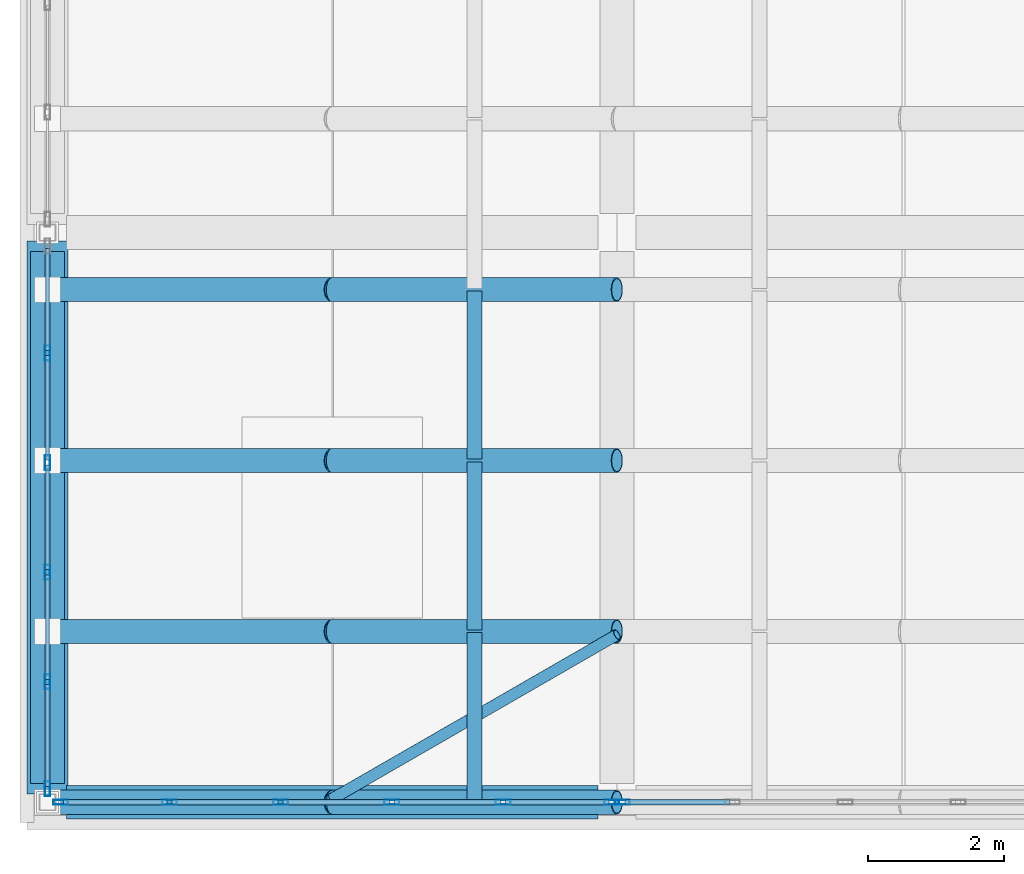
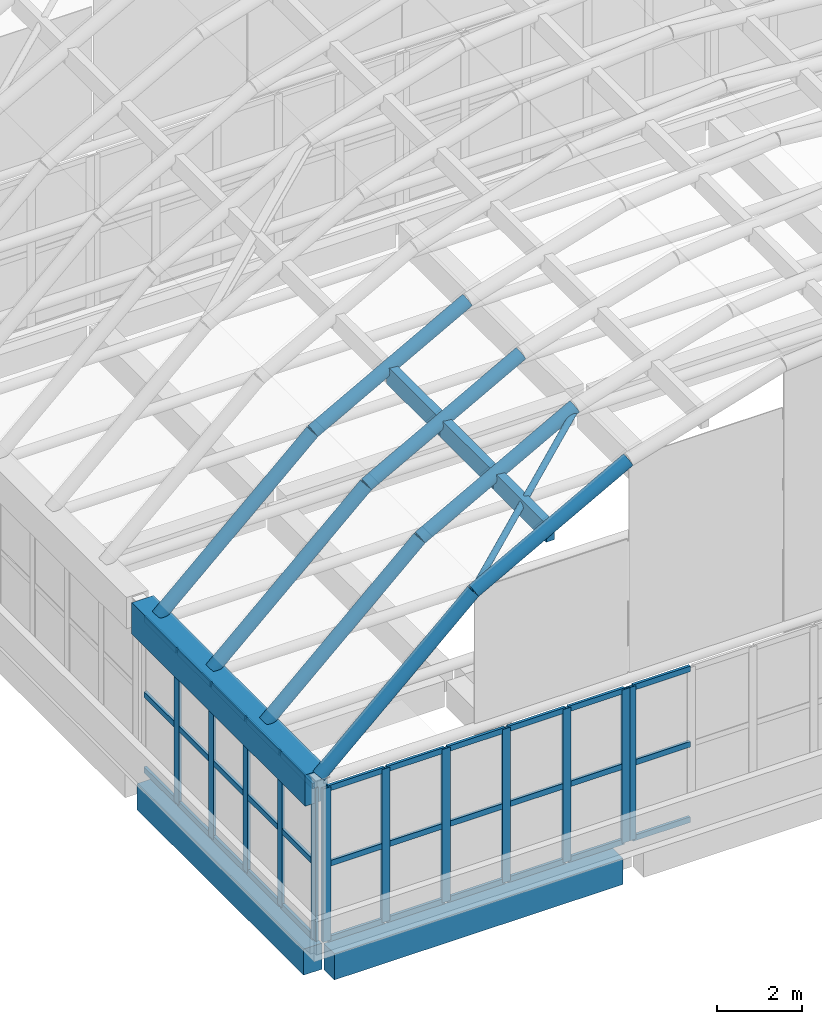
# One storey, part 3 of 26: 49 members, 11 beams, 3 elements without a shape of their own.
"""IFC4 building model written with IfcOpenShell, lengths in metres."""

from ifc_helpers import new_model, si_unit, direction, frame, origin, origin_2d, place, context, subcontext, project, spatial, rectangle, hollow_rectangle, hollow_circle, extrude, material, layer, layer_set, material_profile, profile_set, type_object, element, aggregate, save


model = new_model("IFC4")

# Units and contexts
model_context = context("Model", 3, precision=1e-05, world=origin(), true_north=direction((0.0, 1.0)))
body_context = subcontext(model_context, "Body", "Model", "MODEL_VIEW")
ifc_project = project(units=[si_unit("LENGTHUNIT", "METRE"), si_unit("AREAUNIT", "SQUARE_METRE"), si_unit("VOLUMEUNIT", "CUBIC_METRE"), si_unit("PLANEANGLEUNIT", "RADIAN"), si_unit("MASSUNIT", "GRAM", prefix="KILO")], contexts=[model_context])

# Site, building, storey
site_placement = place(None, origin())
site = spatial("IfcSite", under=ifc_project, at=site_placement, CompositionType="ELEMENT")
building_placement = place(site_placement, origin())
building = spatial("IfcBuilding", under=site, at=building_placement, Name="Xazarin Passage Department Store", CompositionType="ELEMENT")
storey_placement = place(building_placement, frame((0.0, 0.0, 36.89990234375)))
storey = spatial("IfcBuildingStorey", under=building, at=storey_placement, Name="RF", CompositionType="ELEMENT", Elevation=36.89990234375)

# Curtain wall, members
ifc_material_1 = material(Name="Bronze anodised aluminium", Category="aluminium")
ifc_layer = layer(ifc_material_1, 0.199951171875)
ifc_layer_set = layer_set([ifc_layer], Name="Bronze anodised aluminium")
curtain_wall_type = type_object("IfcCurtainWallType", Name="ARC-CW-VIT2", PredefinedType="NOTDEFINED", material=ifc_layer_set)
curtain_wall_1_placement = place(storey_placement, origin())
curtain_wall_1 = element("IfcCurtainWall", 1, at=curtain_wall_1_placement, inside=storey, type_object=curtain_wall_type, Name="RF V1 Atrium Lantern Curtain Wall 01", PredefinedType="NOTDEFINED")
ifc_material_profile_1 = material_profile(ifc_material_1, hollow_rectangle(XDim=0.074951171875, YDim=0.219970703125, WallThickness=0.0048828125, at=origin_2d()), Name="ALU 75x220")
ifc_profile_set_1 = profile_set([ifc_material_profile_1], Name="Bronze anodised aluminium")
member_type_1 = type_object("IfcMemberType", Name="ARC-CWM-75x220", PredefinedType="MULLION", material=ifc_profile_set_1)
member_1_placement = place(storey_placement, frame((0.0, 76.597412109375, 0.0), z_axis=(0.0, 0.0, 1.0), x_axis=(-1.0, 0.0, 0.0)))
member_1 = element("IfcMember", 2, at=member_1_placement, type_object=member_type_1, Name="CW2 mullion 1", PredefinedType="MULLION", context=body_context, shape_type="SweptSolid", body=[
    extrude(hollow_rectangle(XDim=0.074951171875, YDim=0.219970703125, WallThickness=0.0048828125, at=origin_2d()), origin(), (0.0, 0.0, 1.0), 4.404296875),
])
member_2_placement = place(storey_placement, frame((0.0, 78.176025390625, 0.0), z_axis=(0.0, 0.0, 1.0), x_axis=(-1.0, 0.0, 0.0)))
member_2 = element("IfcMember", 3, at=member_2_placement, type_object=member_type_1, Name="CW2 mullion 2", PredefinedType="MULLION", context=body_context, shape_type="SweptSolid", body=[
    extrude(hollow_rectangle(XDim=0.074951171875, YDim=0.219970703125, WallThickness=0.0048828125, at=origin_2d()), origin(), (0.0, 0.0, 1.0), 4.404296875),
])
member_3_placement = place(storey_placement, frame((0.0, 79.7919921875, 0.0), z_axis=(0.0, 0.0, 1.0), x_axis=(-1.0, 0.0, 0.0)))
member_3 = element("IfcMember", 4, at=member_3_placement, type_object=member_type_1, Name="CW2 mullion 3", PredefinedType="MULLION", context=body_context, shape_type="SweptSolid", body=[
    extrude(hollow_rectangle(XDim=0.074951171875, YDim=0.219970703125, WallThickness=0.0048828125, at=origin_2d()), origin(), (0.0, 0.0, 1.0), 4.404296875),
])
member_4_placement = place(storey_placement, frame((0.0, 81.407958984375, 0.0), z_axis=(0.0, 0.0, 1.0), x_axis=(-1.0, 0.0, 0.0)))
member_4 = element("IfcMember", 5, at=member_4_placement, type_object=member_type_1, Name="CW2 mullion 4", PredefinedType="MULLION", context=body_context, shape_type="SweptSolid", body=[
    extrude(hollow_rectangle(XDim=0.074951171875, YDim=0.219970703125, WallThickness=0.0048828125, at=origin_2d()), origin(), (0.0, 0.0, 1.0), 4.404296875),
])
member_5_placement = place(storey_placement, frame((0.0, 83.02392578125, 0.0), z_axis=(0.0, 0.0, 1.0), x_axis=(-1.0, 0.0, 0.0)))
member_5 = element("IfcMember", 6, at=member_5_placement, type_object=member_type_1, Name="CW2 mullion 5", PredefinedType="MULLION", context=body_context, shape_type="SweptSolid", body=[
    extrude(hollow_rectangle(XDim=0.074951171875, YDim=0.219970703125, WallThickness=0.0048828125, at=origin_2d()), origin(), (0.0, 0.0, 1.0), 4.404296875),
])

curtain_wall_2_placement = place(storey_placement, origin())
curtain_wall_2 = element("IfcCurtainWall", 7, at=curtain_wall_2_placement, inside=storey, type_object=curtain_wall_type, Name="RF V1 Atrium Lantern Curtain Wall 07", PredefinedType="NOTDEFINED")
member_6_placement = place(storey_placement, frame((0.197509765625, 76.39990234375, 0.0), z_axis=(0.0, 0.0, 1.0), x_axis=(0.0, 1.0, 0.0)))
member_6 = element("IfcMember", 8, at=member_6_placement, type_object=member_type_1, Name="CW2 mullion 1", PredefinedType="MULLION", context=body_context, shape_type="SweptSolid", body=[
    extrude(hollow_rectangle(XDim=0.074951171875, YDim=0.219970703125, WallThickness=0.0048828125, at=origin_2d()), origin(), (0.0, 0.0, 1.0), 4.404296875),
])
member_7_placement = place(storey_placement, frame((1.800048828125, 76.39990234375, 0.0), z_axis=(0.0, 0.0, 1.0), x_axis=(0.0, 1.0, 0.0)))
member_7 = element("IfcMember", 9, at=member_7_placement, type_object=member_type_1, Name="CW2 mullion 2", PredefinedType="MULLION", context=body_context, shape_type="SweptSolid", body=[
    extrude(hollow_rectangle(XDim=0.074951171875, YDim=0.219970703125, WallThickness=0.0048828125, at=origin_2d()), origin(), (0.0, 0.0, 1.0), 4.404296875),
])
member_8_placement = place(storey_placement, frame((3.43994140625, 76.39990234375, 0.0), z_axis=(0.0, 0.0, 1.0), x_axis=(0.0, 1.0, 0.0)))
member_8 = element("IfcMember", 10, at=member_8_placement, type_object=member_type_1, Name="CW2 mullion 3", PredefinedType="MULLION", context=body_context, shape_type="SweptSolid", body=[
    extrude(hollow_rectangle(XDim=0.074951171875, YDim=0.219970703125, WallThickness=0.0048828125, at=origin_2d()), origin(), (0.0, 0.0, 1.0), 4.404296875),
])
member_9_placement = place(storey_placement, frame((5.080078125, 76.39990234375, 0.0), z_axis=(0.0, 0.0, 1.0), x_axis=(0.0, 1.0, 0.0)))
member_9 = element("IfcMember", 11, at=member_9_placement, type_object=member_type_1, Name="CW2 mullion 4", PredefinedType="MULLION", context=body_context, shape_type="SweptSolid", body=[
    extrude(hollow_rectangle(XDim=0.074951171875, YDim=0.219970703125, WallThickness=0.0048828125, at=origin_2d()), origin(), (0.0, 0.0, 1.0), 4.404296875),
])
member_10_placement = place(storey_placement, frame((6.719970703125, 76.39990234375, 0.0), z_axis=(0.0, 0.0, 1.0), x_axis=(0.0, 1.0, 0.0)))
member_10 = element("IfcMember", 12, at=member_10_placement, type_object=member_type_1, Name="CW2 mullion 5", PredefinedType="MULLION", context=body_context, shape_type="SweptSolid", body=[
    extrude(hollow_rectangle(XDim=0.074951171875, YDim=0.219970703125, WallThickness=0.0048828125, at=origin_2d()), origin(), (0.0, 0.0, 1.0), 4.404296875),
])
member_11_placement = place(storey_placement, frame((8.322509765625, 76.39990234375, 0.0), z_axis=(0.0, 0.0, 1.0), x_axis=(0.0, 1.0, 0.0)))
member_11 = element("IfcMember", 13, at=member_11_placement, type_object=member_type_1, Name="CW2 mullion 6", PredefinedType="MULLION", context=body_context, shape_type="SweptSolid", body=[
    extrude(hollow_rectangle(XDim=0.074951171875, YDim=0.219970703125, WallThickness=0.0048828125, at=origin_2d()), origin(), (0.0, 0.0, 1.0), 4.404296875),
])

# Curtain wall, member
curtain_wall_3_placement = place(storey_placement, origin())
curtain_wall_3 = element("IfcCurtainWall", 14, at=curtain_wall_3_placement, inside=storey, type_object=curtain_wall_type, Name="RF V1 Atrium Lantern Curtain Wall 09", PredefinedType="NOTDEFINED")
member_12_placement = place(storey_placement, frame((8.4775390625, 76.39990234375, 0.0), z_axis=(0.0, 0.0, 1.0), x_axis=(0.0, 1.0, 0.0)))
member_12 = element("IfcMember", 15, at=member_12_placement, type_object=member_type_1, Name="CW2 mullion 1", PredefinedType="MULLION", context=body_context, shape_type="SweptSolid", body=[
    extrude(hollow_rectangle(XDim=0.074951171875, YDim=0.219970703125, WallThickness=0.0048828125, at=origin_2d()), origin(), (0.0, 0.0, 1.0), 4.404296875),
])

# Member
ifc_material_profile_2 = material_profile(ifc_material_1, hollow_rectangle(XDim=0.074951171875, YDim=0.159912109375, WallThickness=0.00439453125, at=origin_2d()), Name="ALU 75x160")
ifc_profile_set_2 = profile_set([ifc_material_profile_2], Name="Bronze anodised aluminium")
member_type_2 = type_object("IfcMemberType", Name="ARC-CWT-75x160", PredefinedType="USERDEFINED", material=ifc_profile_set_2)
member_13_placement = place(storey_placement, frame((0.0, 76.635009765625, 0.03759765625), z_axis=(0.0, 1.0, 0.0), x_axis=(-1.0, 0.0, 0.0)))
member_13 = element("IfcMember", 16, at=member_13_placement, type_object=member_type_2, Name="CW2 transom 1.1", ObjectType="TRANSOM", PredefinedType="USERDEFINED", context=body_context, shape_type="SweptSolid", body=[
    extrude(hollow_rectangle(XDim=0.074951171875, YDim=0.159912109375, WallThickness=0.00439453125, at=origin_2d()), origin(), (0.0, 0.0, 1.0), 1.50341796875),
])

member_14_placement = place(storey_placement, frame((0.0, 76.635009765625, 2.2021484375), z_axis=(0.0, 1.0, 0.0), x_axis=(-1.0, 0.0, 0.0)))
member_14 = element("IfcMember", 17, at=member_14_placement, type_object=member_type_2, Name="CW2 transom 1.2", ObjectType="TRANSOM", PredefinedType="USERDEFINED", context=body_context, shape_type="SweptSolid", body=[
    extrude(hollow_rectangle(XDim=0.074951171875, YDim=0.159912109375, WallThickness=0.00439453125, at=origin_2d()), origin(), (0.0, 0.0, 1.0), 1.50341796875),
])

member_15_placement = place(storey_placement, frame((0.0, 76.635009765625, 4.36669921875), z_axis=(0.0, 1.0, 0.0), x_axis=(-1.0, 0.0, 0.0)))
member_15 = element("IfcMember", 18, at=member_15_placement, type_object=member_type_2, Name="CW2 transom 1.3", ObjectType="TRANSOM", PredefinedType="USERDEFINED", context=body_context, shape_type="SweptSolid", body=[
    extrude(hollow_rectangle(XDim=0.074951171875, YDim=0.159912109375, WallThickness=0.00439453125, at=origin_2d()), origin(), (0.0, 0.0, 1.0), 1.50341796875),
])

member_16_placement = place(storey_placement, frame((0.0, 78.21337890625, 0.03759765625), z_axis=(0.0, 1.0, 0.0), x_axis=(-1.0, 0.0, 0.0)))
member_16 = element("IfcMember", 19, at=member_16_placement, type_object=member_type_2, Name="CW2 transom 2.1", ObjectType="TRANSOM", PredefinedType="USERDEFINED", context=body_context, shape_type="SweptSolid", body=[
    extrude(hollow_rectangle(XDim=0.074951171875, YDim=0.159912109375, WallThickness=0.00439453125, at=origin_2d()), origin(), (0.0, 0.0, 1.0), 1.541015625),
])

member_17_placement = place(storey_placement, frame((0.0, 78.21337890625, 2.2021484375), z_axis=(0.0, 1.0, 0.0), x_axis=(-1.0, 0.0, 0.0)))
member_17 = element("IfcMember", 20, at=member_17_placement, type_object=member_type_2, Name="CW2 transom 2.2", ObjectType="TRANSOM", PredefinedType="USERDEFINED", context=body_context, shape_type="SweptSolid", body=[
    extrude(hollow_rectangle(XDim=0.074951171875, YDim=0.159912109375, WallThickness=0.00439453125, at=origin_2d()), origin(), (0.0, 0.0, 1.0), 1.541015625),
])

member_18_placement = place(storey_placement, frame((0.0, 78.21337890625, 4.36669921875), z_axis=(0.0, 1.0, 0.0), x_axis=(-1.0, 0.0, 0.0)))
member_18 = element("IfcMember", 21, at=member_18_placement, type_object=member_type_2, Name="CW2 transom 2.3", ObjectType="TRANSOM", PredefinedType="USERDEFINED", context=body_context, shape_type="SweptSolid", body=[
    extrude(hollow_rectangle(XDim=0.074951171875, YDim=0.159912109375, WallThickness=0.00439453125, at=origin_2d()), origin(), (0.0, 0.0, 1.0), 1.541015625),
])

member_19_placement = place(storey_placement, frame((0.0, 79.82958984375, 0.03759765625), z_axis=(0.0, 1.0, 0.0), x_axis=(-1.0, 0.0, 0.0)))
member_19 = element("IfcMember", 22, at=member_19_placement, type_object=member_type_2, Name="CW2 transom 3.1", ObjectType="TRANSOM", PredefinedType="USERDEFINED", context=body_context, shape_type="SweptSolid", body=[
    extrude(hollow_rectangle(XDim=0.074951171875, YDim=0.159912109375, WallThickness=0.00439453125, at=origin_2d()), origin(), (0.0, 0.0, 1.0), 1.541015625),
])

member_20_placement = place(storey_placement, frame((0.0, 79.82958984375, 2.2021484375), z_axis=(0.0, 1.0, 0.0), x_axis=(-1.0, 0.0, 0.0)))
member_20 = element("IfcMember", 23, at=member_20_placement, type_object=member_type_2, Name="CW2 transom 3.2", ObjectType="TRANSOM", PredefinedType="USERDEFINED", context=body_context, shape_type="SweptSolid", body=[
    extrude(hollow_rectangle(XDim=0.074951171875, YDim=0.159912109375, WallThickness=0.00439453125, at=origin_2d()), origin(), (0.0, 0.0, 1.0), 1.541015625),
])

member_21_placement = place(storey_placement, frame((0.0, 79.82958984375, 4.36669921875), z_axis=(0.0, 1.0, 0.0), x_axis=(-1.0, 0.0, 0.0)))
member_21 = element("IfcMember", 24, at=member_21_placement, type_object=member_type_2, Name="CW2 transom 3.3", ObjectType="TRANSOM", PredefinedType="USERDEFINED", context=body_context, shape_type="SweptSolid", body=[
    extrude(hollow_rectangle(XDim=0.074951171875, YDim=0.159912109375, WallThickness=0.00439453125, at=origin_2d()), origin(), (0.0, 0.0, 1.0), 1.541015625),
])

member_22_placement = place(storey_placement, frame((0.0, 81.445556640625, 0.03759765625), z_axis=(0.0, 1.0, 0.0), x_axis=(-1.0, 0.0, 0.0)))
member_22 = element("IfcMember", 25, at=member_22_placement, type_object=member_type_2, Name="CW2 transom 4.1", ObjectType="TRANSOM", PredefinedType="USERDEFINED", context=body_context, shape_type="SweptSolid", body=[
    extrude(hollow_rectangle(XDim=0.074951171875, YDim=0.159912109375, WallThickness=0.00439453125, at=origin_2d()), origin(), (0.0, 0.0, 1.0), 1.541015625),
])

member_23_placement = place(storey_placement, frame((0.0, 81.445556640625, 2.2021484375), z_axis=(0.0, 1.0, 0.0), x_axis=(-1.0, 0.0, 0.0)))
member_23 = element("IfcMember", 26, at=member_23_placement, type_object=member_type_2, Name="CW2 transom 4.2", ObjectType="TRANSOM", PredefinedType="USERDEFINED", context=body_context, shape_type="SweptSolid", body=[
    extrude(hollow_rectangle(XDim=0.074951171875, YDim=0.159912109375, WallThickness=0.00439453125, at=origin_2d()), origin(), (0.0, 0.0, 1.0), 1.541015625),
])

member_24_placement = place(storey_placement, frame((0.0, 81.445556640625, 4.36669921875), z_axis=(0.0, 1.0, 0.0), x_axis=(-1.0, 0.0, 0.0)))
member_24 = element("IfcMember", 27, at=member_24_placement, type_object=member_type_2, Name="CW2 transom 4.3", ObjectType="TRANSOM", PredefinedType="USERDEFINED", context=body_context, shape_type="SweptSolid", body=[
    extrude(hollow_rectangle(XDim=0.074951171875, YDim=0.159912109375, WallThickness=0.00439453125, at=origin_2d()), origin(), (0.0, 0.0, 1.0), 1.541015625),
])

member_25_placement = place(storey_placement, frame((0.0, 83.0615234375, 0.03759765625), z_axis=(0.0, 1.0, 0.0), x_axis=(-1.0, 0.0, 0.0)))
member_25 = element("IfcMember", 28, at=member_25_placement, type_object=member_type_2, Name="CW2 transom 5.1", ObjectType="TRANSOM", PredefinedType="USERDEFINED", context=body_context, shape_type="SweptSolid", body=[
    extrude(hollow_rectangle(XDim=0.074951171875, YDim=0.159912109375, WallThickness=0.00439453125, at=origin_2d()), origin(), (0.0, 0.0, 1.0), 1.50341796875),
])

member_26_placement = place(storey_placement, frame((0.0, 83.0615234375, 2.2021484375), z_axis=(0.0, 1.0, 0.0), x_axis=(-1.0, 0.0, 0.0)))
member_26 = element("IfcMember", 29, at=member_26_placement, type_object=member_type_2, Name="CW2 transom 5.2", ObjectType="TRANSOM", PredefinedType="USERDEFINED", context=body_context, shape_type="SweptSolid", body=[
    extrude(hollow_rectangle(XDim=0.074951171875, YDim=0.159912109375, WallThickness=0.00439453125, at=origin_2d()), origin(), (0.0, 0.0, 1.0), 1.50341796875),
])

member_27_placement = place(storey_placement, frame((0.0, 83.0615234375, 4.36669921875), z_axis=(0.0, 1.0, 0.0), x_axis=(-1.0, 0.0, 0.0)))
member_27 = element("IfcMember", 30, at=member_27_placement, type_object=member_type_2, Name="CW2 transom 5.3", ObjectType="TRANSOM", PredefinedType="USERDEFINED", context=body_context, shape_type="SweptSolid", body=[
    extrude(hollow_rectangle(XDim=0.074951171875, YDim=0.159912109375, WallThickness=0.00439453125, at=origin_2d()), origin(), (0.0, 0.0, 1.0), 1.50341796875),
])

aggregate(curtain_wall_1, [member_1, member_2, member_3, member_4, member_5, member_13, member_14, member_15, member_16, member_17, member_18, member_19, member_20, member_21, member_22, member_23, member_24, member_25, member_26, member_27])

member_28_placement = place(storey_placement, frame((0.235107421875, 76.39990234375, 0.03759765625), z_axis=(1.0, 0.0, 0.0), x_axis=(0.0, 1.0, 0.0)))
member_28 = element("IfcMember", 31, at=member_28_placement, type_object=member_type_2, Name="CW2 transom 1.1", ObjectType="TRANSOM", PredefinedType="USERDEFINED", context=body_context, shape_type="SweptSolid", body=[
    extrude(hollow_rectangle(XDim=0.074951171875, YDim=0.159912109375, WallThickness=0.00439453125, at=origin_2d()), origin(), (0.0, 0.0, 1.0), 1.52734375),
])

member_29_placement = place(storey_placement, frame((0.235107421875, 76.39990234375, 2.2021484375), z_axis=(1.0, 0.0, 0.0), x_axis=(0.0, 1.0, 0.0)))
member_29 = element("IfcMember", 32, at=member_29_placement, type_object=member_type_2, Name="CW2 transom 1.2", ObjectType="TRANSOM", PredefinedType="USERDEFINED", context=body_context, shape_type="SweptSolid", body=[
    extrude(hollow_rectangle(XDim=0.074951171875, YDim=0.159912109375, WallThickness=0.00439453125, at=origin_2d()), origin(), (0.0, 0.0, 1.0), 1.52734375),
])

member_30_placement = place(storey_placement, frame((0.235107421875, 76.39990234375, 4.36669921875), z_axis=(1.0, 0.0, 0.0), x_axis=(0.0, 1.0, 0.0)))
member_30 = element("IfcMember", 33, at=member_30_placement, type_object=member_type_2, Name="CW2 transom 1.3", ObjectType="TRANSOM", PredefinedType="USERDEFINED", context=body_context, shape_type="SweptSolid", body=[
    extrude(hollow_rectangle(XDim=0.074951171875, YDim=0.159912109375, WallThickness=0.00439453125, at=origin_2d()), origin(), (0.0, 0.0, 1.0), 1.52734375),
])

member_31_placement = place(storey_placement, frame((1.83740234375, 76.39990234375, 0.03759765625), z_axis=(1.0, 0.0, 0.0), x_axis=(0.0, 1.0, 0.0)))
member_31 = element("IfcMember", 34, at=member_31_placement, type_object=member_type_2, Name="CW2 transom 2.1", ObjectType="TRANSOM", PredefinedType="USERDEFINED", context=body_context, shape_type="SweptSolid", body=[
    extrude(hollow_rectangle(XDim=0.074951171875, YDim=0.159912109375, WallThickness=0.00439453125, at=origin_2d()), origin(), (0.0, 0.0, 1.0), 1.565185546875),
])

member_32_placement = place(storey_placement, frame((1.83740234375, 76.39990234375, 2.2021484375), z_axis=(1.0, 0.0, 0.0), x_axis=(0.0, 1.0, 0.0)))
member_32 = element("IfcMember", 35, at=member_32_placement, type_object=member_type_2, Name="CW2 transom 2.2", ObjectType="TRANSOM", PredefinedType="USERDEFINED", context=body_context, shape_type="SweptSolid", body=[
    extrude(hollow_rectangle(XDim=0.074951171875, YDim=0.159912109375, WallThickness=0.00439453125, at=origin_2d()), origin(), (0.0, 0.0, 1.0), 1.565185546875),
])

member_33_placement = place(storey_placement, frame((1.83740234375, 76.39990234375, 4.36669921875), z_axis=(1.0, 0.0, 0.0), x_axis=(0.0, 1.0, 0.0)))
member_33 = element("IfcMember", 36, at=member_33_placement, type_object=member_type_2, Name="CW2 transom 2.3", ObjectType="TRANSOM", PredefinedType="USERDEFINED", context=body_context, shape_type="SweptSolid", body=[
    extrude(hollow_rectangle(XDim=0.074951171875, YDim=0.159912109375, WallThickness=0.00439453125, at=origin_2d()), origin(), (0.0, 0.0, 1.0), 1.565185546875),
])

member_34_placement = place(storey_placement, frame((3.4775390625, 76.39990234375, 0.03759765625), z_axis=(1.0, 0.0, 0.0), x_axis=(0.0, 1.0, 0.0)))
member_34 = element("IfcMember", 37, at=member_34_placement, type_object=member_type_2, Name="CW2 transom 3.1", ObjectType="TRANSOM", PredefinedType="USERDEFINED", context=body_context, shape_type="SweptSolid", body=[
    extrude(hollow_rectangle(XDim=0.074951171875, YDim=0.159912109375, WallThickness=0.00439453125, at=origin_2d()), origin(), (0.0, 0.0, 1.0), 1.56494140625),
])

member_35_placement = place(storey_placement, frame((3.4775390625, 76.39990234375, 2.2021484375), z_axis=(1.0, 0.0, 0.0), x_axis=(0.0, 1.0, 0.0)))
member_35 = element("IfcMember", 38, at=member_35_placement, type_object=member_type_2, Name="CW2 transom 3.2", ObjectType="TRANSOM", PredefinedType="USERDEFINED", context=body_context, shape_type="SweptSolid", body=[
    extrude(hollow_rectangle(XDim=0.074951171875, YDim=0.159912109375, WallThickness=0.00439453125, at=origin_2d()), origin(), (0.0, 0.0, 1.0), 1.56494140625),
])

member_36_placement = place(storey_placement, frame((3.4775390625, 76.39990234375, 4.36669921875), z_axis=(1.0, 0.0, 0.0), x_axis=(0.0, 1.0, 0.0)))
member_36 = element("IfcMember", 39, at=member_36_placement, type_object=member_type_2, Name="CW2 transom 3.3", ObjectType="TRANSOM", PredefinedType="USERDEFINED", context=body_context, shape_type="SweptSolid", body=[
    extrude(hollow_rectangle(XDim=0.074951171875, YDim=0.159912109375, WallThickness=0.00439453125, at=origin_2d()), origin(), (0.0, 0.0, 1.0), 1.56494140625),
])

member_37_placement = place(storey_placement, frame((5.117431640625, 76.39990234375, 0.03759765625), z_axis=(1.0, 0.0, 0.0), x_axis=(0.0, 1.0, 0.0)))
member_37 = element("IfcMember", 40, at=member_37_placement, type_object=member_type_2, Name="CW2 transom 4.1", ObjectType="TRANSOM", PredefinedType="USERDEFINED", context=body_context, shape_type="SweptSolid", body=[
    extrude(hollow_rectangle(XDim=0.074951171875, YDim=0.159912109375, WallThickness=0.00439453125, at=origin_2d()), origin(), (0.0, 0.0, 1.0), 1.565185546875),
])

member_38_placement = place(storey_placement, frame((5.117431640625, 76.39990234375, 2.2021484375), z_axis=(1.0, 0.0, 0.0), x_axis=(0.0, 1.0, 0.0)))
member_38 = element("IfcMember", 41, at=member_38_placement, type_object=member_type_2, Name="CW2 transom 4.2", ObjectType="TRANSOM", PredefinedType="USERDEFINED", context=body_context, shape_type="SweptSolid", body=[
    extrude(hollow_rectangle(XDim=0.074951171875, YDim=0.159912109375, WallThickness=0.00439453125, at=origin_2d()), origin(), (0.0, 0.0, 1.0), 1.565185546875),
])

member_39_placement = place(storey_placement, frame((5.117431640625, 76.39990234375, 4.36669921875), z_axis=(1.0, 0.0, 0.0), x_axis=(0.0, 1.0, 0.0)))
member_39 = element("IfcMember", 42, at=member_39_placement, type_object=member_type_2, Name="CW2 transom 4.3", ObjectType="TRANSOM", PredefinedType="USERDEFINED", context=body_context, shape_type="SweptSolid", body=[
    extrude(hollow_rectangle(XDim=0.074951171875, YDim=0.159912109375, WallThickness=0.00439453125, at=origin_2d()), origin(), (0.0, 0.0, 1.0), 1.565185546875),
])

member_40_placement = place(storey_placement, frame((6.757568359375, 76.39990234375, 0.03759765625), z_axis=(1.0, 0.0, 0.0), x_axis=(0.0, 1.0, 0.0)))
member_40 = element("IfcMember", 43, at=member_40_placement, type_object=member_type_2, Name="CW2 transom 5.1", ObjectType="TRANSOM", PredefinedType="USERDEFINED", context=body_context, shape_type="SweptSolid", body=[
    extrude(hollow_rectangle(XDim=0.074951171875, YDim=0.159912109375, WallThickness=0.00439453125, at=origin_2d()), origin(), (0.0, 0.0, 1.0), 1.52734375),
])

member_41_placement = place(storey_placement, frame((6.757568359375, 76.39990234375, 2.2021484375), z_axis=(1.0, 0.0, 0.0), x_axis=(0.0, 1.0, 0.0)))
member_41 = element("IfcMember", 44, at=member_41_placement, type_object=member_type_2, Name="CW2 transom 5.2", ObjectType="TRANSOM", PredefinedType="USERDEFINED", context=body_context, shape_type="SweptSolid", body=[
    extrude(hollow_rectangle(XDim=0.074951171875, YDim=0.159912109375, WallThickness=0.00439453125, at=origin_2d()), origin(), (0.0, 0.0, 1.0), 1.52734375),
])

member_42_placement = place(storey_placement, frame((6.757568359375, 76.39990234375, 4.36669921875), z_axis=(1.0, 0.0, 0.0), x_axis=(0.0, 1.0, 0.0)))
member_42 = element("IfcMember", 45, at=member_42_placement, type_object=member_type_2, Name="CW2 transom 5.3", ObjectType="TRANSOM", PredefinedType="USERDEFINED", context=body_context, shape_type="SweptSolid", body=[
    extrude(hollow_rectangle(XDim=0.074951171875, YDim=0.159912109375, WallThickness=0.00439453125, at=origin_2d()), origin(), (0.0, 0.0, 1.0), 1.52734375),
])

aggregate(curtain_wall_2, [member_6, member_7, member_8, member_9, member_10, member_11, member_28, member_29, member_30, member_31, member_32, member_33, member_34, member_35, member_36, member_37, member_38, member_39, member_40, member_41, member_42])

member_43_placement = place(storey_placement, frame((8.514892578125, 76.39990234375, 0.03759765625), z_axis=(1.0, 0.0, 0.0), x_axis=(0.0, 1.0, 0.0)))
member_43 = element("IfcMember", 46, at=member_43_placement, type_object=member_type_2, Name="CW2 transom 1.1", ObjectType="TRANSOM", PredefinedType="USERDEFINED", context=body_context, shape_type="SweptSolid", body=[
    extrude(hollow_rectangle(XDim=0.074951171875, YDim=0.159912109375, WallThickness=0.00439453125, at=origin_2d()), origin(), (0.0, 0.0, 1.0), 1.551513671875),
])

member_44_placement = place(storey_placement, frame((8.514892578125, 76.39990234375, 2.2021484375), z_axis=(1.0, 0.0, 0.0), x_axis=(0.0, 1.0, 0.0)))
member_44 = element("IfcMember", 47, at=member_44_placement, type_object=member_type_2, Name="CW2 transom 1.2", ObjectType="TRANSOM", PredefinedType="USERDEFINED", context=body_context, shape_type="SweptSolid", body=[
    extrude(hollow_rectangle(XDim=0.074951171875, YDim=0.159912109375, WallThickness=0.00439453125, at=origin_2d()), origin(), (0.0, 0.0, 1.0), 1.551513671875),
])

member_45_placement = place(storey_placement, frame((8.514892578125, 76.39990234375, 4.36669921875), z_axis=(1.0, 0.0, 0.0), x_axis=(0.0, 1.0, 0.0)))
member_45 = element("IfcMember", 48, at=member_45_placement, type_object=member_type_2, Name="CW2 transom 1.3", ObjectType="TRANSOM", PredefinedType="USERDEFINED", context=body_context, shape_type="SweptSolid", body=[
    extrude(hollow_rectangle(XDim=0.074951171875, YDim=0.159912109375, WallThickness=0.00439453125, at=origin_2d()), origin(), (0.0, 0.0, 1.0), 1.551513671875),
])

aggregate(curtain_wall_3, [member_12, member_43, member_44, member_45])

# Beams
ifc_material_2 = material(Name="Steel S355", Category="steel")
ifc_material_profile_3 = material_profile(ifc_material_2, hollow_circle(Radius=0.177734375, WallThickness=0.01611328125, at=origin_2d()), Name="CHS 355.6x16")
ifc_profile_set_3 = profile_set([ifc_material_profile_3], Name="Steel S355")
beam_type_1 = type_object("IfcBeamType", Name="STR-BM-AR355", PredefinedType="BEAM", material=ifc_profile_set_3)
beam_1_placement = place(storey_placement, frame((0.0, 76.39990234375, 4.80419921875), z_axis=(0.738872189824, 0.0, 0.673845595893), x_axis=(0.0, 1.0, 0.0)))
element("IfcBeam", 49, at=beam_1_placement, inside=storey, type_object=beam_type_1, Name="V1V Primary Arch Rib 1.1", PredefinedType="BEAM", context=body_context, shape_type="SweptSolid", body=[
    extrude(hollow_circle(Radius=0.177734375, WallThickness=0.01611328125, at=origin_2d()), origin(), (0.0, 0.0, 1.0), 5.684326171875),
])
beam_2_placement = place(storey_placement, frame((4.199951171875, 76.39990234375, 8.634521484375), z_axis=(0.877197007336, 0.0, 0.480130617978), x_axis=(0.0, 1.0, 0.0)))
element("IfcBeam", 50, at=beam_2_placement, inside=storey, type_object=beam_type_1, Name="V1V Primary Arch Rib 1.2", PredefinedType="BEAM", context=body_context, shape_type="SweptSolid", body=[
    extrude(hollow_circle(Radius=0.177734375, WallThickness=0.01611328125, at=origin_2d()), origin(), (0.0, 0.0, 1.0), 4.787841796875),
])
beam_3_placement = place(storey_placement, frame((0.0, 78.919921875, 4.80419921875), z_axis=(0.738872189824, 0.0, 0.673845595893), x_axis=(0.0, 1.0, 0.0)))
element("IfcBeam", 51, at=beam_3_placement, inside=storey, type_object=beam_type_1, Name="V1V Primary Arch Rib 2.1", PredefinedType="BEAM", context=body_context, shape_type="SweptSolid", body=[
    extrude(hollow_circle(Radius=0.177734375, WallThickness=0.01611328125, at=origin_2d()), origin(), (0.0, 0.0, 1.0), 5.684326171875),
])
beam_4_placement = place(storey_placement, frame((4.199951171875, 78.919921875, 8.634521484375), z_axis=(0.877197007336, 0.0, 0.480130617978), x_axis=(0.0, 1.0, 0.0)))
element("IfcBeam", 52, at=beam_4_placement, inside=storey, type_object=beam_type_1, Name="V1V Primary Arch Rib 2.2", PredefinedType="BEAM", context=body_context, shape_type="SweptSolid", body=[
    extrude(hollow_circle(Radius=0.177734375, WallThickness=0.01611328125, at=origin_2d()), origin(), (0.0, 0.0, 1.0), 4.787841796875),
])
beam_5_placement = place(storey_placement, frame((0.0, 81.43994140625, 4.80419921875), z_axis=(0.738872189824, 0.0, 0.673845595893), x_axis=(0.0, 1.0, 0.0)))
element("IfcBeam", 53, at=beam_5_placement, inside=storey, type_object=beam_type_1, Name="V1V Primary Arch Rib 3.1", PredefinedType="BEAM", context=body_context, shape_type="SweptSolid", body=[
    extrude(hollow_circle(Radius=0.177734375, WallThickness=0.01611328125, at=origin_2d()), origin(), (0.0, 0.0, 1.0), 5.684326171875),
])
beam_6_placement = place(storey_placement, frame((4.199951171875, 81.43994140625, 8.634521484375), z_axis=(0.877197007336, 0.0, 0.480130617978), x_axis=(0.0, 1.0, 0.0)))
element("IfcBeam", 54, at=beam_6_placement, inside=storey, type_object=beam_type_1, Name="V1V Primary Arch Rib 3.2", PredefinedType="BEAM", context=body_context, shape_type="SweptSolid", body=[
    extrude(hollow_circle(Radius=0.177734375, WallThickness=0.01611328125, at=origin_2d()), origin(), (0.0, 0.0, 1.0), 4.787841796875),
])
beam_7_placement = place(storey_placement, frame((0.0, 83.9599609375, 4.80419921875), z_axis=(0.738872189824, 0.0, 0.673845595893), x_axis=(0.0, 1.0, 0.0)))
element("IfcBeam", 55, at=beam_7_placement, inside=storey, type_object=beam_type_1, Name="V1V Primary Arch Rib 4.1", PredefinedType="BEAM", context=body_context, shape_type="SweptSolid", body=[
    extrude(hollow_circle(Radius=0.177734375, WallThickness=0.01611328125, at=origin_2d()), origin(), (0.0, 0.0, 1.0), 5.684326171875),
])
beam_8_placement = place(storey_placement, frame((4.199951171875, 83.9599609375, 8.634521484375), z_axis=(0.877197007336, 0.0, 0.480130617978), x_axis=(0.0, 1.0, 0.0)))
element("IfcBeam", 56, at=beam_8_placement, inside=storey, type_object=beam_type_1, Name="V1V Primary Arch Rib 4.2", PredefinedType="BEAM", context=body_context, shape_type="SweptSolid", body=[
    extrude(hollow_circle(Radius=0.177734375, WallThickness=0.01611328125, at=origin_2d()), origin(), (0.0, 0.0, 1.0), 4.787841796875),
])
ifc_material_3 = material(Name="Concrete C40/50", Category="concrete")
ifc_material_profile_4 = material_profile(ifc_material_3, rectangle(XDim=0.60009765625, YDim=0.89990234375, at=origin_2d()), Name="RC 600x900")
ifc_profile_set_4 = profile_set([ifc_material_profile_4], Name="Concrete C40/50")
beam_type_2 = type_object("IfcBeamType", Name="STR-BM-RG600x900", PredefinedType="BEAM", material=ifc_profile_set_4)
beam_9_placement = place(storey_placement, frame((0.0, 76.52001953125, 4.404296875), z_axis=(0.0, 1.0, 0.0), x_axis=(-1.0, 0.0, 0.0)))
element("IfcBeam", 57, at=beam_9_placement, inside=storey, type_object=beam_type_2, Name="V1V Springing Ring Girder W-1", PredefinedType="BEAM", context=body_context, shape_type="SweptSolid", body=[
    extrude(rectangle(XDim=0.60009765625, YDim=0.89990234375, at=origin_2d()), origin(), (0.0, 0.0, 1.0), 8.159912109375),
])
ifc_material_4 = material(Name="Concrete C35/45", Category="concrete")
ifc_material_profile_5 = material_profile(ifc_material_4, rectangle(XDim=0.5, YDim=0.75, at=origin_2d()), Name="RC 500x750")
ifc_profile_set_5 = profile_set([ifc_material_profile_5], Name="Concrete C35/45")
beam_type_3 = type_object("IfcBeamType", Name="STR-BM-SP500x750", PredefinedType="SPANDREL", material=ifc_profile_set_5)
for number, where, z_axis, x_axis, name in (
    (58, (0.280029296875, 76.39990234375, -0.635009765625), (1.0, 0.0, 0.0), (0.0, 1.0, 0.0), "RF Grid Beam L/1-2"),
    (59, (0.0, 76.679931640625, -0.635009765625), (0.0, 1.0, 0.0), (-1.0, 0.0, 0.0), "RF Grid Beam 1/L-M"),
):
    element("IfcBeam", number, at=place(storey_placement, frame(where, z_axis=z_axis, x_axis=x_axis)), inside=storey, type_object=beam_type_3, Name=name, PredefinedType="SPANDREL", context=body_context, shape_type="SweptSolid", body=[
        extrude(rectangle(XDim=0.5, YDim=0.75, at=origin_2d()), origin(), (0.0, 0.0, 1.0), 7.840087890625),
    ])

# Members
ifc_material_profile_6 = material_profile(ifc_material_2, hollow_circle(Radius=0.084228515625, WallThickness=0.010009765625, at=origin_2d()), Name="CHS 168.3x10")
ifc_profile_set_6 = profile_set([ifc_material_profile_6], Name="Steel S355")
member_type_3 = type_object("IfcMemberType", Name="STR-MEM-BR168", PredefinedType="BRACE", material=ifc_profile_set_6)
member_46_placement = place(storey_placement, frame((4.199951171875, 76.449951171875, 8.58447265625), z_axis=(0.782867479074, 0.451116974949, 0.428499690923), x_axis=(-0.499276194257, 0.866442890125, 0.0)))
element("IfcMember", 60, at=member_46_placement, inside=storey, type_object=member_type_3, Name="V1V Gridshell Diagonal Brace 1.1", PredefinedType="BRACE", context=body_context, shape_type="SweptSolid", body=[
    extrude(hollow_circle(Radius=0.084228515625, WallThickness=0.010009765625, at=origin_2d()), origin(), (0.0, 0.0, 1.0), 5.36474609375),
])
ifc_material_5 = material(Name="Glulam GL28h", Category="wood")
ifc_material_profile_7 = material_profile(ifc_material_5, rectangle(XDim=0.219970703125, YDim=0.52001953125, at=origin_2d()), Name="GL28h 220x520")
ifc_profile_set_7 = profile_set([ifc_material_profile_7], Name="Glulam GL28h")
member_type_4 = type_object("IfcMemberType", Name="STR-MEM-GL520", PredefinedType="PURLIN", material=ifc_profile_set_7)
for number, where, z_axis, x_axis, name in (
    (61, (6.300048828125, 76.419921875, 9.581787109375), (0.0, 1.0, 0.0), (-1.0, 0.0, 0.0), "V1V Glulam Gridshell Purlin 1.2"),
    (62, (6.300048828125, 78.93994140625, 9.581787109375), (0.0, 1.0, 0.0), (-1.0, 0.0, 0.0), "V1V Glulam Gridshell Purlin 2.2"),
    (63, (6.300048828125, 81.4599609375, 9.581787109375), (0.0, 1.0, 0.0), (-1.0, 0.0, 0.0), "V1V Glulam Gridshell Purlin 3.2"),
):
    element("IfcMember", number, at=place(storey_placement, frame(where, z_axis=z_axis, x_axis=x_axis)), inside=storey, type_object=member_type_4, Name=name, PredefinedType="PURLIN", context=body_context, shape_type="SweptSolid", body=[
        extrude(rectangle(XDim=0.219970703125, YDim=0.52001953125, at=origin_2d()), origin(), (0.0, 0.0, 1.0), 2.47998046875),
    ])

save(model, "model.ifc")
